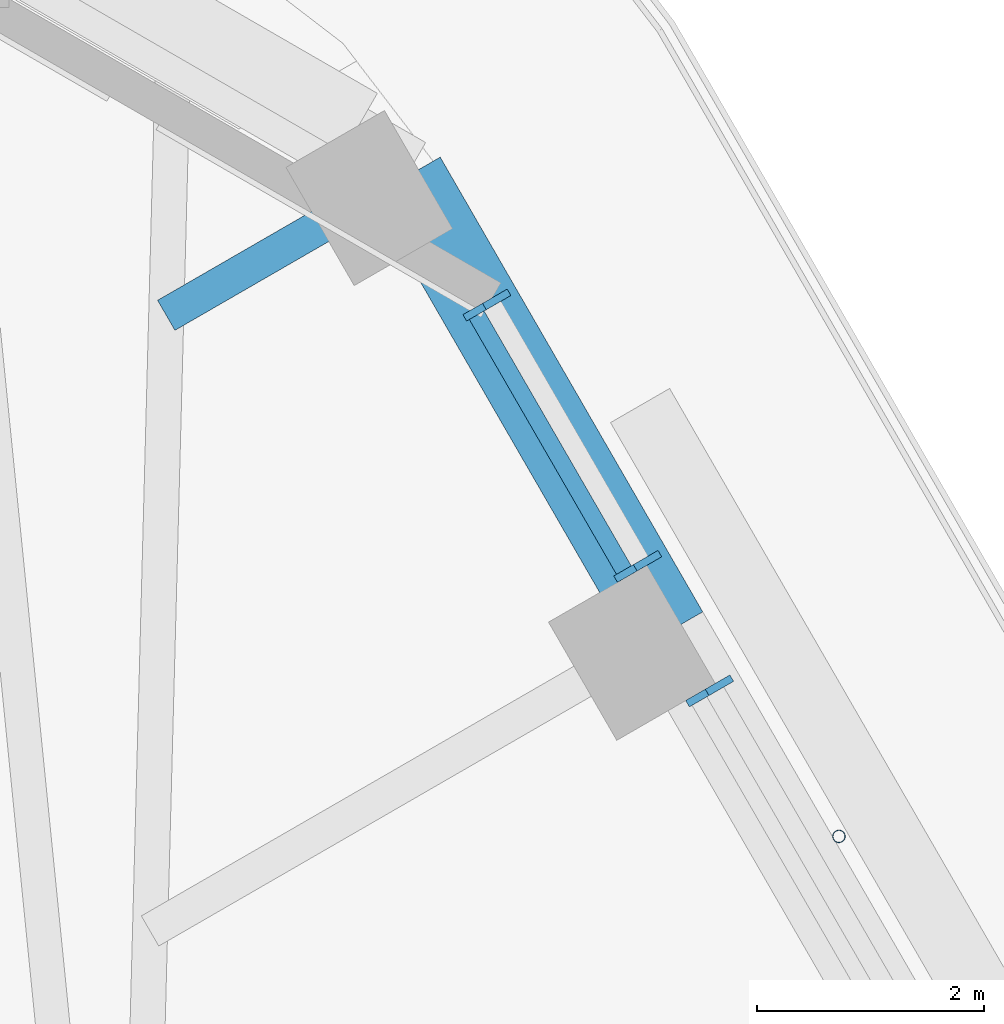
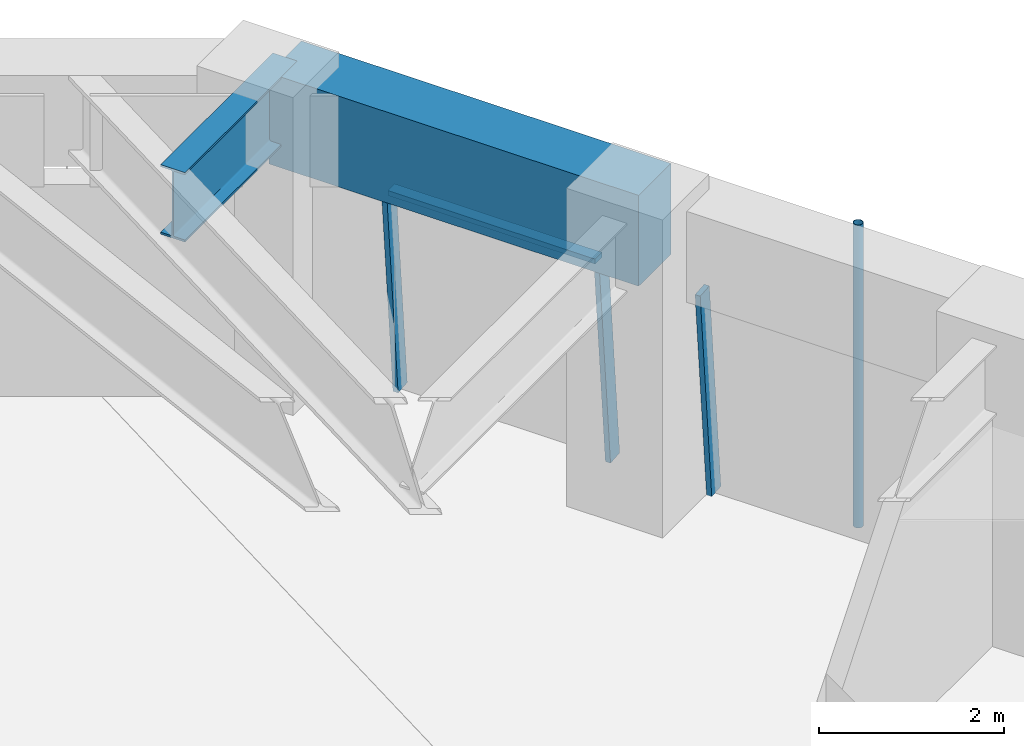
# One storey, part 12 of 20: 5 members, 2 beams, 2 elements without a shape of their own.
"""IFC4 building model written with IfcOpenShell, lengths in metres."""

from ifc_helpers import new_model, si_unit, direction, frame, origin, origin_2d, place, context, subcontext, project, spatial, rectangle, hollow_circle, i_section, extrude, material, material_profile, profile_set, type_object, element, aggregate, save


model = new_model("IFC4")

# Units and contexts
model_context = context("Model", 3, precision=1e-05, world=origin(), true_north=direction((0.0, 1.0)))
body_context = subcontext(model_context, "Body", "Model", "MODEL_VIEW")
ifc_project = project(units=[si_unit("LENGTHUNIT", "METRE"), si_unit("AREAUNIT", "SQUARE_METRE"), si_unit("VOLUMEUNIT", "CUBIC_METRE"), si_unit("PLANEANGLEUNIT", "RADIAN"), si_unit("MASSUNIT", "GRAM", prefix="KILO")], contexts=[model_context])

# Site, building, storey
site_placement = place(None, origin())
site = spatial("IfcSite", under=ifc_project, at=site_placement, CompositionType="ELEMENT")
building_placement = place(site_placement, origin())
building = spatial("IfcBuilding", under=site, at=building_placement, Name="Tarfa Lantern Tower", CompositionType="ELEMENT")
storey_placement = place(building_placement, frame((0.0, 0.0, 274.300048828125)))
storey = spatial("IfcBuildingStorey", under=building, at=storey_placement, Name="L62", CompositionType="ELEMENT", Elevation=274.300048828125)

# Curtain wall, member
ifc_material_1 = material(Name="Aluminium framed curtain wall", Category="aluminium")
curtain_wall_type = type_object("IfcCurtainWallType", Name="CW3 CANTED GLAZING HIGH ZONE 2800", PredefinedType="USERDEFINED", material=ifc_material_1)
curtain_wall_1_placement = place(storey_placement, origin())
curtain_wall_1 = element("IfcCurtainWall", 1, at=curtain_wall_1_placement, inside=storey, type_object=curtain_wall_type, Name="CW3 NE L62", ObjectType="CURTAIN WALL", PredefinedType="USERDEFINED")
ifc_material_2 = material(Name="Aluminium mullion", Category="aluminium")
ifc_material_profile_1 = material_profile(ifc_material_2, rectangle(XDim=0.06494140625, YDim=0.199951171875, at=origin_2d()), Name="AL MULLION 65x200")
ifc_profile_set_1 = profile_set([ifc_material_profile_1], Name="Aluminium mullion")
member_type_1 = type_object("IfcMemberType", Name="CWM1 MULLION 65x200", PredefinedType="MULLION", material=ifc_profile_set_1)
member_1_placement = place(storey_placement, frame((20.7255859375, 21.90234375, 0.0), z_axis=(-0.077032386753, -0.044465143199, 0.996036576854), x_axis=(0.499919672301, -0.866071776036, 0.0)))
member_1 = element("IfcMember", 2, at=member_1_placement, type_object=member_type_1, Name="CW3 mullion 2", PredefinedType="MULLION", context=body_context, shape_type="SweptSolid", body=[
    extrude(rectangle(XDim=0.06494140625, YDim=0.199951171875, at=origin_2d()), origin(), (0.0, 0.0, 1.0), 2.811279296875),
])
aggregate(curtain_wall_1, [member_1])

# Curtain wall, members
curtain_wall_2_placement = place(storey_placement, origin())
curtain_wall_2 = element("IfcCurtainWall", 3, at=curtain_wall_2_placement, inside=storey, type_object=curtain_wall_type, Name="CW3 NE L62", ObjectType="CURTAIN WALL", PredefinedType="USERDEFINED")
member_2_placement = place(storey_placement, frame((20.093017578125, 22.997802734375, 0.0), z_axis=(-0.077032386753, -0.044465143199, 0.996036576854), x_axis=(0.499919672301, -0.866071776036, 0.0)))
member_2 = element("IfcMember", 4, at=member_2_placement, type_object=member_type_1, Name="CW3 mullion 1", PredefinedType="MULLION", context=body_context, shape_type="SweptSolid", body=[
    extrude(rectangle(XDim=0.06494140625, YDim=0.199951171875, at=origin_2d()), origin(), (0.0, 0.0, 1.0), 2.811279296875),
])
member_3_placement = place(storey_placement, frame((18.76611328125, 25.296142578125, 0.0), z_axis=(-0.077032386753, -0.044465143199, 0.996036576854), x_axis=(0.499919672301, -0.866071776036, 0.0)))
member_3 = element("IfcMember", 5, at=member_3_placement, type_object=member_type_1, Name="CW3 mullion 2", PredefinedType="MULLION", context=body_context, shape_type="SweptSolid", body=[
    extrude(rectangle(XDim=0.06494140625, YDim=0.199951171875, at=origin_2d()), origin(), (0.0, 0.0, 1.0), 2.811279296875),
])
ifc_material_3 = material(Name="Aluminium transom", Category="aluminium")
ifc_material_profile_2 = material_profile(ifc_material_3, rectangle(XDim=0.14990234375, YDim=0.06494140625, at=origin_2d()), Name="AL TRANSOM 150x65")
ifc_profile_set_2 = profile_set([ifc_material_profile_2], Name="Aluminium transom")
member_type_2 = type_object("IfcMemberType", Name="CWT1 TRANSOM 150x65", PredefinedType="USERDEFINED", material=ifc_profile_set_2)
member_4_placement = place(storey_placement, frame((19.86279296875, 22.90234375, 2.767333984375), z_axis=(-0.5000136139, 0.866017543653, 0.0), x_axis=(-0.866017543653, -0.5000136139, 0.0)))
member_4 = element("IfcMember", 6, at=member_4_placement, type_object=member_type_2, Name="CW3 transom 1.2", ObjectType="TRANSOM", PredefinedType="USERDEFINED", context=body_context, shape_type="SweptSolid", body=[
    extrude(rectangle(XDim=0.14990234375, YDim=0.06494140625, at=origin_2d()), origin(), (0.0, 0.0, 1.0), 2.5888671875),
])
aggregate(curtain_wall_2, [member_2, member_3, member_4])

# Beam
ifc_material_4 = material(Name="Concrete C80/95", Category="concrete")
ifc_material_profile_3 = material_profile(ifc_material_4, rectangle(XDim=0.699951171875, YDim=1.199951171875, at=origin_2d()), Name="RC 700x1200")
ifc_profile_set_3 = profile_set([ifc_material_profile_3], Name="Concrete C80/95")
beam_type_1 = type_object("IfcBeamType", Name="EB3 RC 700x1200", PredefinedType="SPANDREL", material=ifc_profile_set_3)
beam_1_placement = place(storey_placement, frame((20.25341796875, 22.360107421875, 3.39990234375), z_axis=(-0.499987836815, 0.866032426089, 0.0), x_axis=(-0.866032426089, -0.499987836815, 0.0)))
element("IfcBeam", 7, at=beam_1_placement, inside=storey, type_object=beam_type_1, Name="Edge beam NE5", PredefinedType="SPANDREL", context=body_context, shape_type="SweptSolid", body=[
    extrude(rectangle(XDim=0.699951171875, YDim=1.199951171875, at=origin_2d()), origin(), (0.0, 0.0, 1.0), 4.61865234375),
])

# Member
ifc_material_5 = material(Name="Steel S355", Category="steel")
ifc_material_profile_4 = material_profile(ifc_material_5, hollow_circle(Radius=0.05712890625, WallThickness=0.00634765625, at=origin_2d()), Name="CHS114.3x6.3")
ifc_profile_set_4 = profile_set([ifc_material_profile_4], Name="Steel S355")
member_type_3 = type_object("IfcMemberType", Name="TR1 GREEN WALL TRELLIS CHS114.3x6.3", PredefinedType="USERDEFINED", material=ifc_profile_set_4)
member_5_placement = place(storey_placement, frame((21.754638671875, 20.56005859375, 0.0), z_axis=(0.0, 0.0, 1.0), x_axis=(1.0, 0.0, 0.0)))
element("IfcMember", 8, at=member_5_placement, inside=storey, type_object=member_type_3, Name="Trellis post NE 2", ObjectType="TRELLIS", PredefinedType="USERDEFINED", context=body_context, shape_type="SweptSolid", body=[
    extrude(hollow_circle(Radius=0.05712890625, WallThickness=0.00634765625, at=origin_2d()), origin(), (0.0, 0.0, 1.0), 4.0),
])

# Beam
ifc_material_6 = material(Name="Steel S460M", Category="steel")
ifc_material_profile_5 = material_profile(ifc_material_6, i_section(OverallWidth=0.305419921875, OverallDepth=0.91845703125, WebThickness=0.017333984375, FlangeThickness=0.02783203125, FilletRadius=0.01904296875, at=origin_2d()), Name="UB914x305x253")
ifc_profile_set_5 = profile_set([ifc_material_profile_5], Name="Steel S460M")
beam_type_2 = type_object("IfcBeamType", Name="UB914x305x253", PredefinedType="BEAM", material=ifc_profile_set_5)
beam_2_placement = place(storey_placement, frame((17.944091796875, 26.360107421875, 3.540771484375), z_axis=(-0.865980009423, -0.5000786171, 0.0), x_axis=(0.5000786171, -0.865980009423, 0.0)))
element("IfcBeam", 9, at=beam_2_placement, inside=storey, type_object=beam_type_2, Name="Floor beam NE6", PredefinedType="BEAM", context=body_context, shape_type="SweptSolid", body=[
    extrude(i_section(OverallWidth=0.305419921875, OverallDepth=0.91845703125, WebThickness=0.017333984375, FlangeThickness=0.02783203125, FilletRadius=0.01904296875, at=origin_2d()), origin(), (0.0, 0.0, 1.0), 2.4326171875),
])

save(model, "model.ifc")
